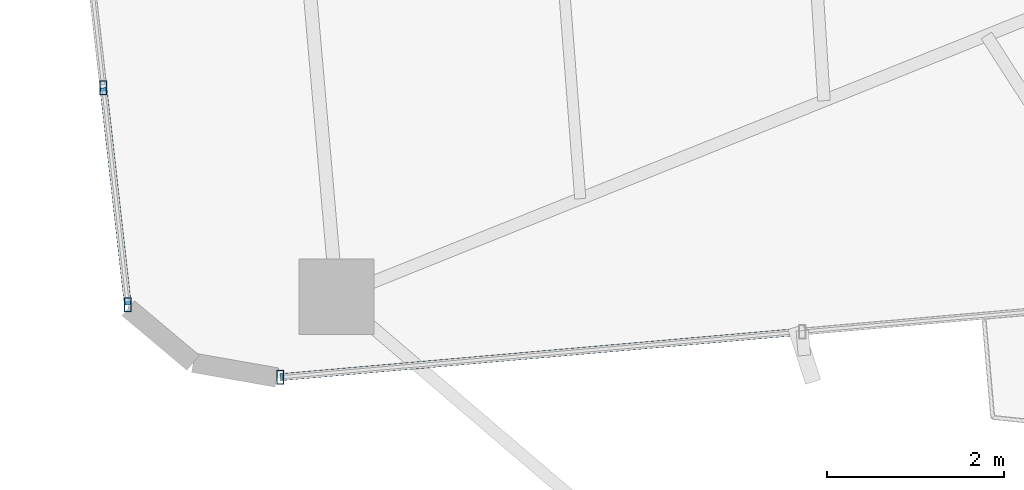
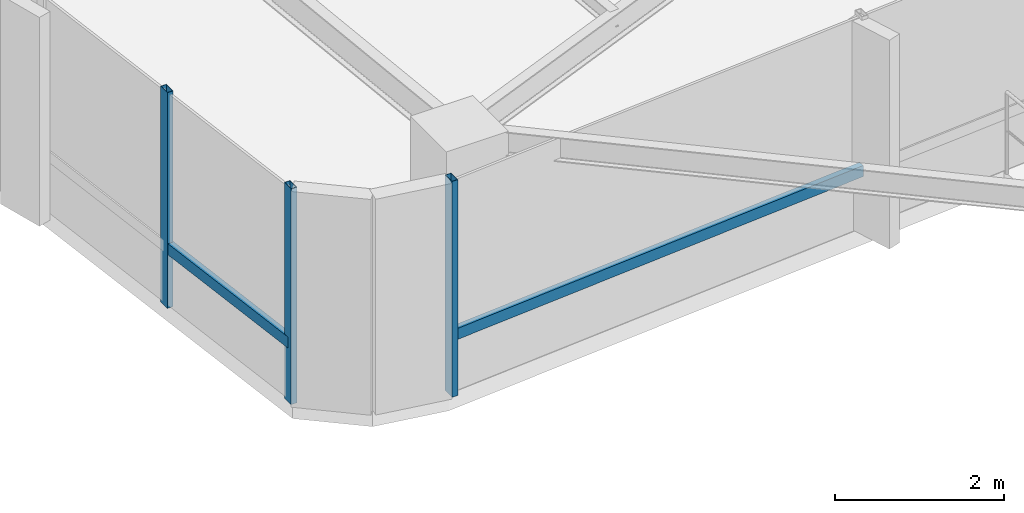
# One storey, part 3 of 24: 5 members, 2 elements without a shape of their own.
"""IFC4 building model written with IfcOpenShell, lengths in metres."""

from ifc_helpers import new_model, si_unit, direction, frame, origin, origin_2d, place, context, subcontext, project, spatial, hollow_rectangle, extrude, source, transform, mapped, material, material_profile, profile_set, type_object, element, aggregate, save


model = new_model("IFC4")

# Units and contexts
model_context = context("Model", 3, precision=1e-05, world=origin(), true_north=direction((0.0, 1.0)))
body_context = subcontext(model_context, "Body", "Model", "MODEL_VIEW")
ifc_project = project(units=[si_unit("LENGTHUNIT", "METRE"), si_unit("AREAUNIT", "SQUARE_METRE"), si_unit("VOLUMEUNIT", "CUBIC_METRE"), si_unit("PLANEANGLEUNIT", "RADIAN"), si_unit("MASSUNIT", "GRAM", prefix="KILO")], contexts=[model_context])

# Site, building, storey
site_placement = place(None, origin())
site = spatial("IfcSite", under=ifc_project, at=site_placement, CompositionType="ELEMENT")
building_placement = place(site_placement, origin())
building = spatial("IfcBuilding", under=site, at=building_placement, Name="Sahyath Konkavel Grand Hotel", CompositionType="ELEMENT")
storey_placement = place(building_placement, frame((0.0, 0.0, 160.64990234375)))
storey = spatial("IfcBuildingStorey", under=building, at=storey_placement, Name="L44", CompositionType="ELEMENT", Elevation=160.64990234375)

# Curtain wall, members
ifc_material_1 = material(Name="Anodised Bronze Aluminium & Low-E Glazing", Category="aluminium")
curtain_wall_type = type_object("IfcCurtainWallType", Name="CW-ZONE3", PredefinedType="NOTDEFINED", material=ifc_material_1)
curtain_wall_1_placement = place(storey_placement, origin())
curtain_wall_1 = element("IfcCurtainWall", 1, at=curtain_wall_1_placement, inside=storey, type_object=curtain_wall_type, Name="L44 Unitised Curtain Wall F20", PredefinedType="NOTDEFINED")
ifc_material_2 = material(Name="Anodised Bronze Aluminium", Category="aluminium")
ifc_material_profile_1 = material_profile(ifc_material_2, hollow_rectangle(XDim=0.080078125, YDim=0.159912109375, WallThickness=0.006103515625, at=origin_2d()), Name="RHS 160x80x6")
ifc_profile_set_1 = profile_set([ifc_material_profile_1], Name="Anodised Bronze Aluminium")
member_type_1 = type_object("IfcMemberType", Name="CW-MUL-160", PredefinedType="MULLION", material=ifc_profile_set_1)
shared_shape_1 = source(origin(), body_context, "Body", "SweptSolid", [
    extrude(hollow_rectangle(XDim=0.080078125, YDim=0.159912109375, WallThickness=0.006103515625, at=origin_2d()), origin(), (0.0, 0.0, 1.0), 3.110107421875),
])
member_1_placement = place(storey_placement, frame((-19.583984375, -4.648193359375, 0.0), z_axis=(0.0, 0.0, 1.0), x_axis=(1.0, 0.0, 0.0)))
member_1 = element("IfcMember", 2, at=member_1_placement, type_object=member_type_1, Name="L44 Curtain Wall Mullion F20-3", PredefinedType="MULLION", context=body_context, shape_type="MappedRepresentation", body=[
    mapped(shared_shape_1, transform((0.0, 0.0, 0.0), scale=1.0)),
])
member_2_placement = place(storey_placement, frame((-19.308349609375, -7.094970703125, 0.0), z_axis=(0.0, 0.0, 1.0), x_axis=(1.0, 0.0, 0.0)))
member_2 = element("IfcMember", 3, at=member_2_placement, type_object=member_type_1, Name="L44 Curtain Wall Mullion F20-4", PredefinedType="MULLION", context=body_context, shape_type="MappedRepresentation", body=[
    mapped(shared_shape_1, transform((0.0, 0.0, 0.0), scale=1.0)),
])

# Curtain wall, member
curtain_wall_2_placement = place(storey_placement, origin())
curtain_wall_2 = element("IfcCurtainWall", 4, at=curtain_wall_2_placement, inside=storey, type_object=curtain_wall_type, Name="L44 Unitised Curtain Wall F23", PredefinedType="NOTDEFINED")
member_3_placement = place(storey_placement, frame((-17.58740234375, -7.912841796875, 0.0), z_axis=(0.0, 0.0, 1.0), x_axis=(1.0, 0.0, 0.0)))
member_3 = element("IfcMember", 5, at=member_3_placement, type_object=member_type_1, Name="L44 Curtain Wall Mullion F23-0", PredefinedType="MULLION", context=body_context, shape_type="MappedRepresentation", body=[
    mapped(shared_shape_1, transform((0.0, 0.0, 0.0), scale=1.0)),
])

# Member
ifc_material_profile_2 = material_profile(ifc_material_2, hollow_rectangle(XDim=0.080078125, YDim=0.159912109375, WallThickness=0.006103515625, at=origin_2d()), Name="RHS 160x80x6")
ifc_profile_set_2 = profile_set([ifc_material_profile_2], Name="Anodised Bronze Aluminium")
member_type_2 = type_object("IfcMemberType", Name="CW-TRN-160", PredefinedType="USERDEFINED", material=ifc_profile_set_2)
shared_shape_2 = source(origin(), body_context, "Body", "SweptSolid", [
    extrude(hollow_rectangle(XDim=0.080078125, YDim=0.159912109375, WallThickness=0.006103515625, at=origin_2d()), origin(), (0.0, 0.0, 1.0), 2.462158203125),
])
member_4_placement = place(storey_placement, frame((-19.583984375, -4.648193359375, 0.85009765625), z_axis=(0.11194409079, -0.993714506555, 0.0), x_axis=(0.993714506555, 0.11194409079, 0.0)))
member_4 = element("IfcMember", 6, at=member_4_placement, type_object=member_type_2, Name="L44 Curtain Wall Transom F20-3-spandrel", ObjectType="TRANSOM", PredefinedType="USERDEFINED", context=body_context, shape_type="MappedRepresentation", body=[
    mapped(shared_shape_2, transform((0.0, 0.0, 0.0), scale=1.0)),
])

aggregate(curtain_wall_1, [member_1, member_2, member_4])

shared_shape_3 = source(origin(), body_context, "Body", "SweptSolid", [
    extrude(hollow_rectangle(XDim=0.080078125, YDim=0.159912109375, WallThickness=0.006103515625, at=origin_2d()), origin(), (0.0, 0.0, 1.0), 5.91015625),
])
member_5_placement = place(storey_placement, frame((-17.58740234375, -7.912841796875, 0.85009765625), z_axis=(0.996197841474, 0.087119806256, 0.0), x_axis=(-0.087119806256, 0.996197841474, 0.0)))
member_5 = element("IfcMember", 7, at=member_5_placement, type_object=member_type_2, Name="L44 Curtain Wall Transom F23-0-spandrel", ObjectType="TRANSOM", PredefinedType="USERDEFINED", context=body_context, shape_type="MappedRepresentation", body=[
    mapped(shared_shape_3, transform((0.0, 0.0, 0.0), scale=1.0)),
])

aggregate(curtain_wall_2, [member_3, member_5])

save(model, "model.ifc")
